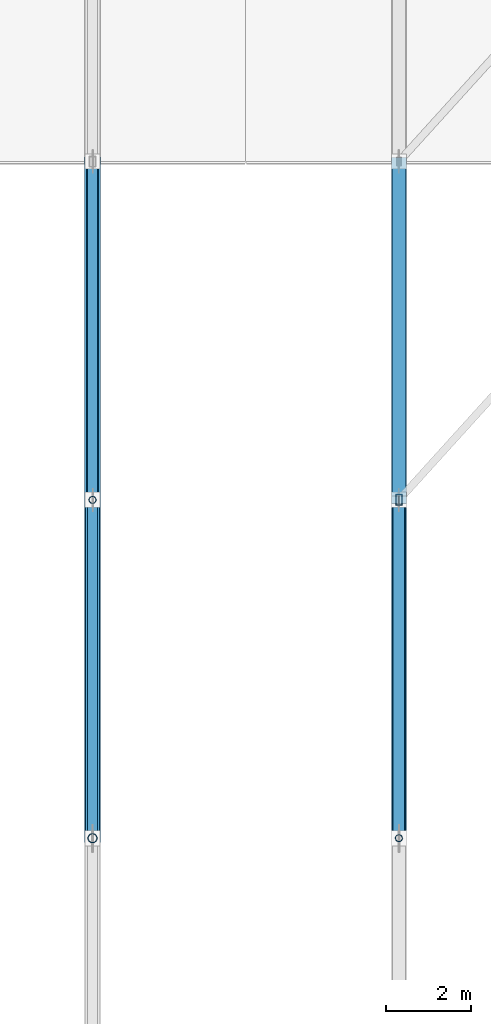
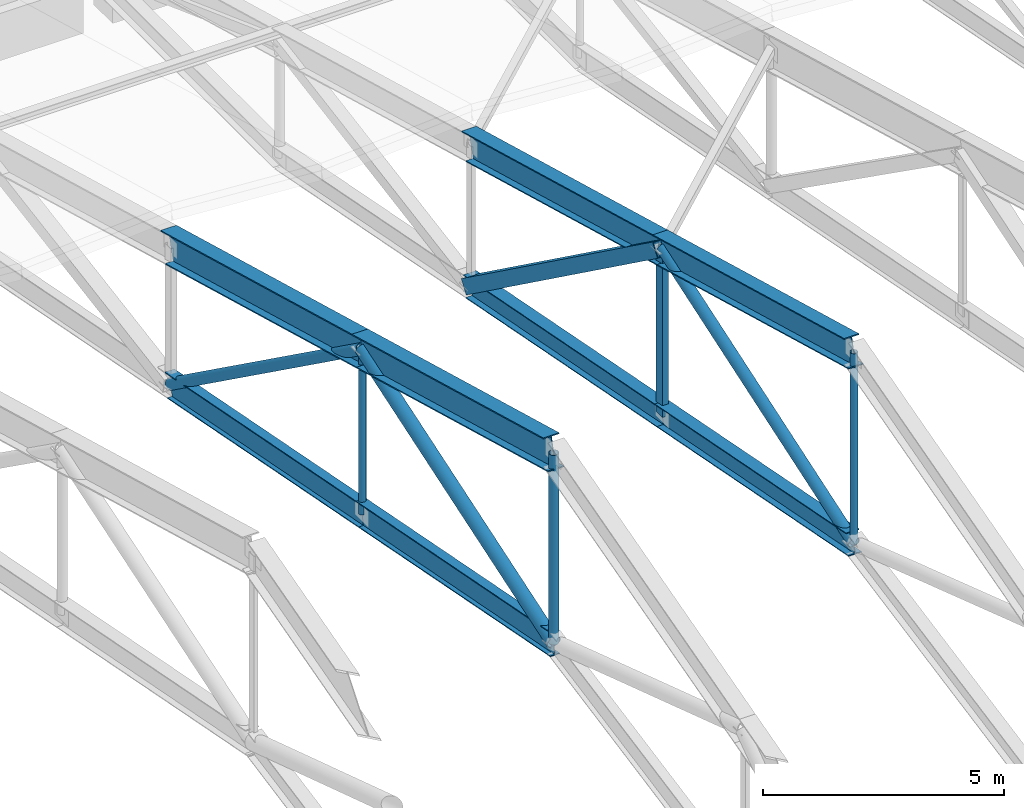
# One storey, part 15 of 53: 8 beams, 8 members.
"""IFC4 building model written with IfcOpenShell, lengths in metres."""

from ifc_helpers import new_model, si_unit, direction, frame, origin, origin_2d, place, context, subcontext, project, spatial, hollow_rectangle, hollow_circle, i_section, extrude, material, material_profile, profile_set, type_object, element, save


model = new_model("IFC4")

# Units and contexts
model_context = context("Model", 3, precision=1e-05, world=origin(), true_north=direction((0.0, 1.0)))
body_context = subcontext(model_context, "Body", "Model", "MODEL_VIEW")
ifc_project = project(units=[si_unit("LENGTHUNIT", "METRE"), si_unit("AREAUNIT", "SQUARE_METRE"), si_unit("VOLUMEUNIT", "CUBIC_METRE"), si_unit("PLANEANGLEUNIT", "RADIAN"), si_unit("MASSUNIT", "GRAM", prefix="KILO")], contexts=[model_context])

# Site, building, storey
site_placement = place(None, origin())
site = spatial("IfcSite", under=ifc_project, at=site_placement, CompositionType="ELEMENT")
building_placement = place(site_placement, origin())
building = spatial("IfcBuilding", under=site, at=building_placement, Name="Pellamere Symphony Hall", CompositionType="ELEMENT")
storey_placement = place(building_placement, frame((0.0, 0.0, 24.0)))
storey = spatial("IfcBuildingStorey", under=building, at=storey_placement, Name="L05", CompositionType="ELEMENT", Elevation=24.0)

# Beams
ifc_material = material(Name="Steel CSA G40.21 350W", Category="steel")
ifc_material_profile_1 = material_profile(ifc_material, i_section(OverallWidth=0.381103515625, OverallDepth=0.77294921875, WebThickness=0.0166015625, FlangeThickness=0.027587890625, at=origin_2d()), Name="W760X257")
ifc_profile_set_1 = profile_set([ifc_material_profile_1], Name="Steel CSA G40.21 350W")
beam_type_1 = type_object("IfcBeamType", Name="Steel Beam SB-05 W760X257", PredefinedType="BEAM", material=ifc_profile_set_1)
for number, where, z_axis, x_axis, name in (
    (1, (73.199951171875, 61.800048828125, 9.6083984375), (0.0, 0.964090435702, -0.265574154969), (-1.0, 0.0, 0.0), "Roof Truss TR-03 Top Chord 5"),
    (2, (73.199951171875, 69.75, 7.41845703125), (0.0, 0.964090435702, -0.265574154969), (-1.0, 0.0, 0.0), "Roof Truss TR-03 Top Chord 6"),
):
    element("IfcBeam", number, at=place(storey_placement, frame(where, z_axis=z_axis, x_axis=x_axis)), inside=storey, type_object=beam_type_1, Name=name, PredefinedType="BEAM", context=body_context, shape_type="SweptSolid", body=[
        extrude(i_section(OverallWidth=0.381103515625, OverallDepth=0.77294921875, WebThickness=0.0166015625, FlangeThickness=0.027587890625, at=origin_2d()), origin(), (0.0, 0.0, 1.0), 8.24609375),
    ])
ifc_material_profile_2 = material_profile(ifc_material, i_section(OverallWidth=0.35498046875, OverallDepth=0.695068359375, WebThickness=0.015380859375, FlangeThickness=0.02490234375, at=origin_2d()), Name="W690X217")
ifc_profile_set_2 = profile_set([ifc_material_profile_2], Name="Steel CSA G40.21 350W")
beam_type_2 = type_object("IfcBeamType", Name="Steel Beam SB-07 W690X217", PredefinedType="BEAM", material=ifc_profile_set_2)
for number, where, z_axis, x_axis, name in (
    (3, (80.39990234375, 61.800048828125, 9.6474609375), (0.0, 0.964090435702, -0.265574154969), (-1.0, 0.0, 0.0), "Roof Truss TR-04 Top Chord 5"),
    (4, (80.39990234375, 69.75, 7.45751953125), (0.0, 0.964090435702, -0.265574154969), (-1.0, 0.0, 0.0), "Roof Truss TR-04 Top Chord 6"),
):
    element("IfcBeam", number, at=place(storey_placement, frame(where, z_axis=z_axis, x_axis=x_axis)), inside=storey, type_object=beam_type_2, Name=name, PredefinedType="BEAM", context=body_context, shape_type="SweptSolid", body=[
        extrude(i_section(OverallWidth=0.35498046875, OverallDepth=0.695068359375, WebThickness=0.015380859375, FlangeThickness=0.02490234375, at=origin_2d()), origin(), (0.0, 0.0, 1.0), 8.24609375),
    ])
ifc_material_profile_3 = material_profile(ifc_material, i_section(OverallWidth=0.22998046875, OverallDepth=0.616943359375, WebThickness=0.01318359375, FlangeThickness=0.022216796875, at=origin_2d()), Name="W610X140")
ifc_profile_set_3 = profile_set([ifc_material_profile_3], Name="Steel CSA G40.21 350W")
beam_type_3 = type_object("IfcBeamType", Name="Steel Beam SB-11 W610X140", PredefinedType="BEAM", material=ifc_profile_set_3)
for number, where, z_axis, x_axis, name in (
    (5, (73.199951171875, 61.800048828125, 4.800048828125), (0.0, 0.981596715528, -0.190965672477), (-1.0, 0.0, 0.0), "Roof Truss TR-03 Bottom Chord 5"),
    (6, (73.199951171875, 69.75, 3.25341796875), (0.0, 0.981596715528, -0.190965672477), (-1.0, 0.0, 0.0), "Roof Truss TR-03 Bottom Chord 6"),
):
    element("IfcBeam", number, at=place(storey_placement, frame(where, z_axis=z_axis, x_axis=x_axis)), inside=storey, type_object=beam_type_3, Name=name, PredefinedType="BEAM", context=body_context, shape_type="SweptSolid", body=[
        extrude(i_section(OverallWidth=0.22998046875, OverallDepth=0.616943359375, WebThickness=0.01318359375, FlangeThickness=0.022216796875, at=origin_2d()), origin(), (0.0, 0.0, 1.0), 8.09912109375),
    ])
ifc_material_profile_4 = material_profile(ifc_material, i_section(OverallWidth=0.31201171875, OverallDepth=0.54296875, WebThickness=0.0126953125, FlangeThickness=0.020263671875, at=origin_2d()), Name="W530X150")
ifc_profile_set_4 = profile_set([ifc_material_profile_4], Name="Steel CSA G40.21 350W")
beam_type_4 = type_object("IfcBeamType", Name="Steel Beam SB-13 W530X150", PredefinedType="BEAM", material=ifc_profile_set_4)
for number, where, z_axis, x_axis, name in (
    (7, (80.39990234375, 61.800048828125, 4.800048828125), (0.0, 0.981596715528, -0.190965672477), (-1.0, 0.0, 0.0), "Roof Truss TR-04 Bottom Chord 5"),
    (8, (80.39990234375, 69.75, 3.25341796875), (0.0, 0.981596715528, -0.190965672477), (-1.0, 0.0, 0.0), "Roof Truss TR-04 Bottom Chord 6"),
):
    element("IfcBeam", number, at=place(storey_placement, frame(where, z_axis=z_axis, x_axis=x_axis)), inside=storey, type_object=beam_type_4, Name=name, PredefinedType="BEAM", context=body_context, shape_type="SweptSolid", body=[
        extrude(i_section(OverallWidth=0.31201171875, OverallDepth=0.54296875, WebThickness=0.0126953125, FlangeThickness=0.020263671875, at=origin_2d()), origin(), (0.0, 0.0, 1.0), 8.09912109375),
    ])

# Members
ifc_material_profile_5 = material_profile(ifc_material, hollow_rectangle(XDim=0.355712890625, YDim=0.355712890625, WallThickness=0.015869140625, at=origin_2d()), Name="HSS356X356X16")
ifc_profile_set_5 = profile_set([ifc_material_profile_5], Name="Steel CSA G40.21 350W")
member_type_1 = type_object("IfcMemberType", Name="Steel Member SM-01 HSS356X356X16", PredefinedType="CHORD", material=ifc_profile_set_5)
member_1_placement = place(storey_placement, frame((80.39990234375, 69.75, 7.45751953125), z_axis=(0.0, 0.810238740914, -0.586099976729), x_axis=(-1.0, 0.0, 0.0)))
element("IfcMember", 9, at=member_1_placement, inside=storey, type_object=member_type_1, Name="Roof Truss TR-04 Web Diagonal 6", PredefinedType="CHORD", context=body_context, shape_type="SweptSolid", body=[
    extrude(hollow_rectangle(XDim=0.355712890625, YDim=0.355712890625, WallThickness=0.015869140625, at=origin_2d()), origin(), (0.0, 0.0, 1.0), 9.811767578125),
])
ifc_material_profile_6 = material_profile(ifc_material, hollow_rectangle(XDim=0.15234375, YDim=0.25390625, WallThickness=0.010986328125, at=origin_2d()), Name="HSS254X152X11")
ifc_profile_set_6 = profile_set([ifc_material_profile_6], Name="Steel CSA G40.21 350W")
member_type_2 = type_object("IfcMemberType", Name="Steel Member SM-07 HSS254X152X11", PredefinedType="STRUT", material=ifc_profile_set_6)
member_2_placement = place(storey_placement, frame((80.39990234375, 69.75, 3.25341796875), z_axis=(0.0, 0.0, 1.0), x_axis=(1.0, 0.0, 0.0)))
element("IfcMember", 10, at=member_2_placement, inside=storey, type_object=member_type_2, Name="Roof Truss TR-04 Vertical Post 5", PredefinedType="STRUT", context=body_context, shape_type="SweptSolid", body=[
    extrude(hollow_rectangle(XDim=0.15234375, YDim=0.25390625, WallThickness=0.010986328125, at=origin_2d()), origin(), (0.0, 0.0, 1.0), 4.2041015625),
])
ifc_material_profile_7 = material_profile(ifc_material, hollow_circle(Radius=0.161865234375, WallThickness=0.010986328125, at=origin_2d()), Name="HSS324X11")
ifc_profile_set_7 = profile_set([ifc_material_profile_7], Name="Steel CSA G40.21 350W")
member_type_3 = type_object("IfcMemberType", Name="Steel Member SM-11 HSS324X11", PredefinedType="BRACE", material=ifc_profile_set_7)
member_3_placement = place(storey_placement, frame((73.199951171875, 61.800048828125, 4.800048828125), z_axis=(0.0, 0.94980895453, 0.312830545015), x_axis=(-1.0, 0.0, 0.0)))
element("IfcMember", 11, at=member_3_placement, inside=storey, type_object=member_type_3, Name="Roof Truss TR-03 Web Diagonal 5", PredefinedType="BRACE", context=body_context, shape_type="SweptSolid", body=[
    extrude(hollow_circle(Radius=0.161865234375, WallThickness=0.010986328125, at=origin_2d()), origin(), (0.0, 0.0, 1.0), 8.3701171875),
])
ifc_material_profile_8 = material_profile(ifc_material, hollow_circle(Radius=0.136474609375, WallThickness=0.009521484375, at=origin_2d()), Name="HSS273X10")
ifc_profile_set_8 = profile_set([ifc_material_profile_8], Name="Steel CSA G40.21 350W")
member_type_4 = type_object("IfcMemberType", Name="Steel Member SM-12 HSS273X10", PredefinedType="BRACE", material=ifc_profile_set_8)
member_4_placement = place(storey_placement, frame((73.199951171875, 69.75, 7.41845703125), z_axis=(0.0, 0.812129489998, -0.583477241609), x_axis=(-1.0, 0.0, 0.0)))
element("IfcMember", 12, at=member_4_placement, inside=storey, type_object=member_type_4, Name="Roof Truss TR-03 Web Diagonal 6", PredefinedType="BRACE", context=body_context, shape_type="SweptSolid", body=[
    extrude(hollow_circle(Radius=0.136474609375, WallThickness=0.009521484375, at=origin_2d()), origin(), (0.0, 0.0, 1.0), 9.7890625),
])
member_5_placement = place(storey_placement, frame((80.39990234375, 61.800048828125, 4.800048828125), z_axis=(0.0, 0.948415002493, 0.317031517432), x_axis=(-1.0, 0.0, 0.0)))
element("IfcMember", 13, at=member_5_placement, inside=storey, type_object=member_type_4, Name="Roof Truss TR-04 Web Diagonal 5", PredefinedType="BRACE", context=body_context, shape_type="SweptSolid", body=[
    extrude(hollow_circle(Radius=0.136474609375, WallThickness=0.009521484375, at=origin_2d()), origin(), (0.0, 0.0, 1.0), 8.38232421875),
])
ifc_material_profile_9 = material_profile(ifc_material, hollow_circle(Radius=0.109619140625, WallThickness=0.009521484375, at=origin_2d()), Name="HSS219X10")
ifc_profile_set_9 = profile_set([ifc_material_profile_9], Name="Steel CSA G40.21 350W")
member_type_5 = type_object("IfcMemberType", Name="Steel Member SM-13 HSS219X10", PredefinedType="STRUT", material=ifc_profile_set_9)
member_6_placement = place(storey_placement, frame((73.199951171875, 61.800048828125, 4.800048828125), z_axis=(0.0, 0.0, 1.0), x_axis=(1.0, 0.0, 0.0)))
element("IfcMember", 14, at=member_6_placement, inside=storey, type_object=member_type_5, Name="Roof Truss TR-03 Vertical Post 4", PredefinedType="STRUT", context=body_context, shape_type="SweptSolid", body=[
    extrude(hollow_circle(Radius=0.109619140625, WallThickness=0.009521484375, at=origin_2d()), origin(), (0.0, 0.0, 1.0), 4.808349609375),
])
ifc_material_profile_10 = material_profile(ifc_material, hollow_circle(Radius=0.084228515625, WallThickness=0.008056640625, at=origin_2d()), Name="HSS168X8")
ifc_profile_set_10 = profile_set([ifc_material_profile_10], Name="Steel CSA G40.21 350W")
member_type_6 = type_object("IfcMemberType", Name="Steel Member SM-14 HSS168X8", PredefinedType="COLLAR", material=ifc_profile_set_10)
member_7_placement = place(storey_placement, frame((73.199951171875, 69.75, 3.25341796875), z_axis=(0.0, 0.0, 1.0), x_axis=(1.0, 0.0, 0.0)))
element("IfcMember", 15, at=member_7_placement, inside=storey, type_object=member_type_6, Name="Roof Truss TR-03 Vertical Post 5", PredefinedType="COLLAR", context=body_context, shape_type="SweptSolid", body=[
    extrude(hollow_circle(Radius=0.084228515625, WallThickness=0.008056640625, at=origin_2d()), origin(), (0.0, 0.0, 1.0), 4.1650390625),
])
member_8_placement = place(storey_placement, frame((80.39990234375, 61.800048828125, 4.800048828125), z_axis=(0.0, 0.0, 1.0), x_axis=(1.0, 0.0, 0.0)))
element("IfcMember", 16, at=member_8_placement, inside=storey, type_object=member_type_6, Name="Roof Truss TR-04 Vertical Post 4", PredefinedType="COLLAR", context=body_context, shape_type="SweptSolid", body=[
    extrude(hollow_circle(Radius=0.084228515625, WallThickness=0.008056640625, at=origin_2d()), origin(), (0.0, 0.0, 1.0), 4.847412109375),
])

save(model, "model.ifc")
